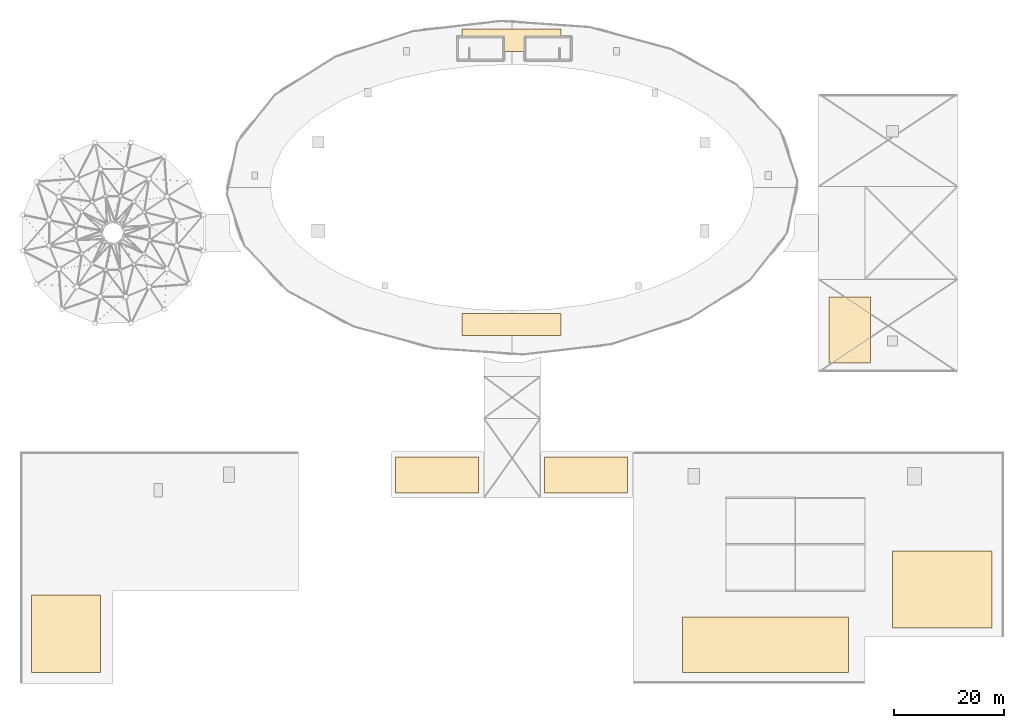
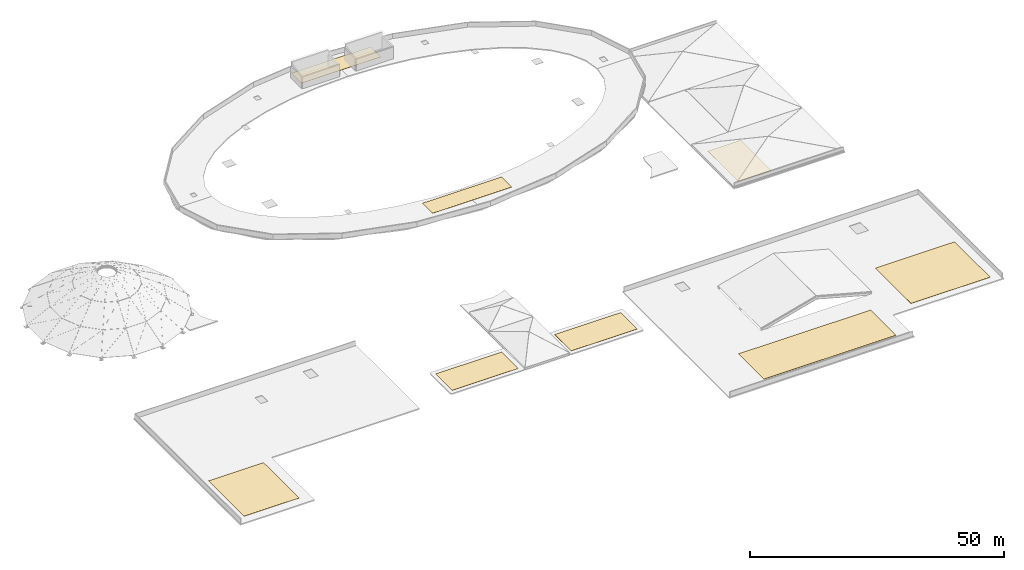
# One storey, part 11 of 11: 8 coverings.
"""IFC4 building model written with IfcOpenShell, lengths in metres."""

from ifc_helpers import new_model, si_unit, direction, frame, origin, place, context, subcontext, project, spatial, polyline, outline, extrude, material, layer, layer_set, type_object, element, save


model = new_model("IFC4")

# Units and contexts
model_context = context("Model", 3, precision=1e-05, world=origin(), true_north=direction((0.0, 1.0)))
body_context = subcontext(model_context, "Body", "Model", "MODEL_VIEW")
ifc_project = project(units=[si_unit("LENGTHUNIT", "METRE"), si_unit("AREAUNIT", "SQUARE_METRE"), si_unit("VOLUMEUNIT", "CUBIC_METRE"), si_unit("PLANEANGLEUNIT", "RADIAN"), si_unit("MASSUNIT", "GRAM", prefix="KILO"), si_unit("THERMODYNAMICTEMPERATUREUNIT", "KELVIN"), si_unit("POWERUNIT", "WATT")], contexts=[model_context])

# Site, building, storey
site_placement = place(None, origin())
site = spatial("IfcSite", under=ifc_project, at=site_placement, CompositionType="ELEMENT")
building_placement = place(site_placement, origin())
building = spatial("IfcBuilding", under=site, at=building_placement, Name="Darbajah Civic Hall", CompositionType="ELEMENT")
storey_placement = place(building_placement, frame((0.0, 0.0, 30.60009765625)))
storey = spatial("IfcBuildingStorey", under=building, at=storey_placement, Name="ROOF", CompositionType="ELEMENT", Elevation=30.60009765625)

# Coverings
ifc_material = material(Name="Patinated Bronze Standing Seam Roofing")
ifc_layer = layer(ifc_material, 0.034912109375, Name="Patinated Bronze Standing Seam Roofing")
ifc_layer_set = layer_set([ifc_layer], Name="Patinated Bronze Standing Seam Roofing")
covering_type = type_object("IfcCoveringType", Name="Patinated Bronze Standing Seam Roofing", PredefinedType="ROOFING", material=ifc_layer_set)
covering_1_placement = place(storey_placement, origin())
element("IfcCovering", 1, at=covering_1_placement, inside=storey, type_object=covering_type, Name="Patinated bronze standing seam roofing RFG-V1-N", PredefinedType="ROOFING", context=body_context, shape_type="SweptSolid", body=[
    extrude(outline(polyline([(80.0, 114.5), (98.0, 114.5), (98.0, 118.5), (80.0, 118.5), (80.0, 114.5)])), origin(), (0.0, 0.0, 1.0), 0.034912109375),
])
covering_2_placement = place(storey_placement, origin())
element("IfcCovering", 2, at=covering_2_placement, inside=storey, type_object=covering_type, Name="Patinated bronze standing seam roofing RFG-V1-S", PredefinedType="ROOFING", context=body_context, shape_type="SweptSolid", body=[
    extrude(outline(polyline([(80.0, 63.0), (98.0, 63.0), (98.0, 67.0), (80.0, 67.0), (80.0, 63.0)])), origin(), (0.0, 0.0, 1.0), 0.034912109375),
])
covering_3_placement = place(storey_placement, frame((0.0, 0.0, -16.800048828125)))
element("IfcCovering", 3, at=covering_3_placement, inside=storey, type_object=covering_type, Name="Patinated bronze standing seam roofing RFG-V3-S", PredefinedType="ROOFING", context=body_context, shape_type="SweptSolid", body=[
    extrude(outline(polyline([(120.0, 2.0), (150.0, 2.0), (150.0, 12.0), (120.0, 12.0), (120.0, 2.0)])), origin(), (0.0, 0.0, 1.0), 0.034912109375),
])
covering_4_placement = place(storey_placement, frame((0.0, 0.0, -16.800048828125)))
element("IfcCovering", 4, at=covering_4_placement, inside=storey, type_object=covering_type, Name="Patinated bronze standing seam roofing RFG-V3-E", PredefinedType="ROOFING", context=body_context, shape_type="SweptSolid", body=[
    extrude(outline(polyline([(158.0, 10.0), (176.0, 10.0), (176.0, 24.0), (158.0, 24.0), (158.0, 10.0)])), origin(), (0.0, 0.0, 1.0), 0.034912109375),
])
covering_5_placement = place(storey_placement, frame((0.0, 0.0, -12.60009765625)))
element("IfcCovering", 5, at=covering_5_placement, inside=storey, type_object=covering_type, Name="Patinated bronze standing seam roofing RFG-V4-S", PredefinedType="ROOFING", context=body_context, shape_type="SweptSolid", body=[
    extrude(outline(polyline([(146.5, 58.0), (154.0, 58.0), (154.0, 70.0), (146.5, 70.0), (146.5, 58.0)])), origin(), (0.0, 0.0, 1.0), 0.034912109375),
])
covering_6_placement = place(storey_placement, frame((0.0, 0.0, -8.400146484375)))
element("IfcCovering", 6, at=covering_6_placement, inside=storey, type_object=covering_type, Name="Patinated bronze standing seam roofing RFG-V5-W", PredefinedType="ROOFING", context=body_context, shape_type="SweptSolid", body=[
    extrude(outline(polyline([(2.0, 2.0), (14.5, 2.0), (14.5, 16.0), (2.0, 16.0), (2.0, 2.0)])), origin(), (0.0, 0.0, 1.0), 0.03515625),
])
covering_7_placement = place(storey_placement, frame((0.0, 0.0, -21.0)))
element("IfcCovering", 7, at=covering_7_placement, inside=storey, type_object=covering_type, Name="Patinated bronze standing seam roofing RFG-V6-SW", PredefinedType="ROOFING", context=body_context, shape_type="SweptSolid", body=[
    extrude(outline(polyline([(68.0, 34.5), (83.0, 34.5), (83.0, 41.0), (68.0, 41.0), (68.0, 34.5)])), origin(), (0.0, 0.0, 1.0), 0.034912109375),
])
covering_8_placement = place(storey_placement, frame((0.0, 0.0, -21.0)))
element("IfcCovering", 8, at=covering_8_placement, inside=storey, type_object=covering_type, Name="Patinated bronze standing seam roofing RFG-V6-SE", PredefinedType="ROOFING", context=body_context, shape_type="SweptSolid", body=[
    extrude(outline(polyline([(95.0, 34.5), (110.0, 34.5), (110.0, 41.0), (95.0, 41.0), (95.0, 34.5)])), origin(), (0.0, 0.0, 1.0), 0.034912109375),
])

save(model, "model.ifc")
